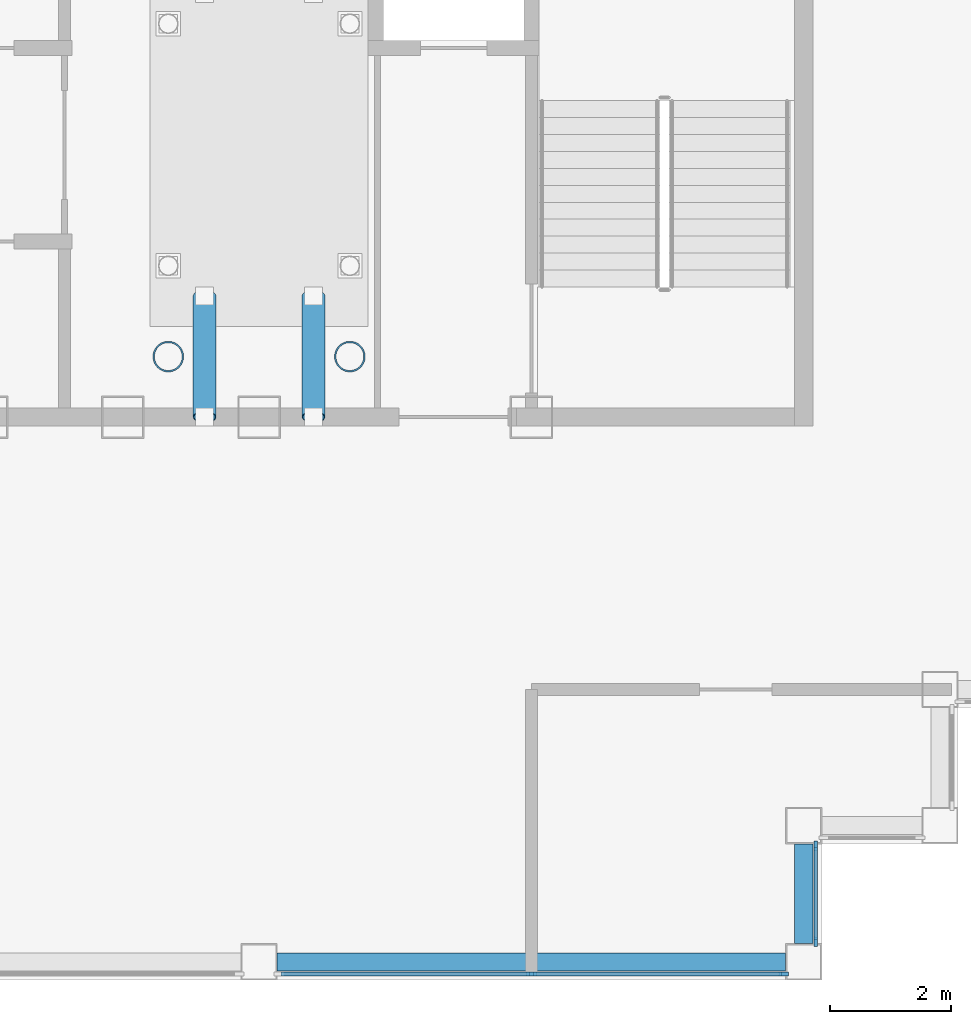
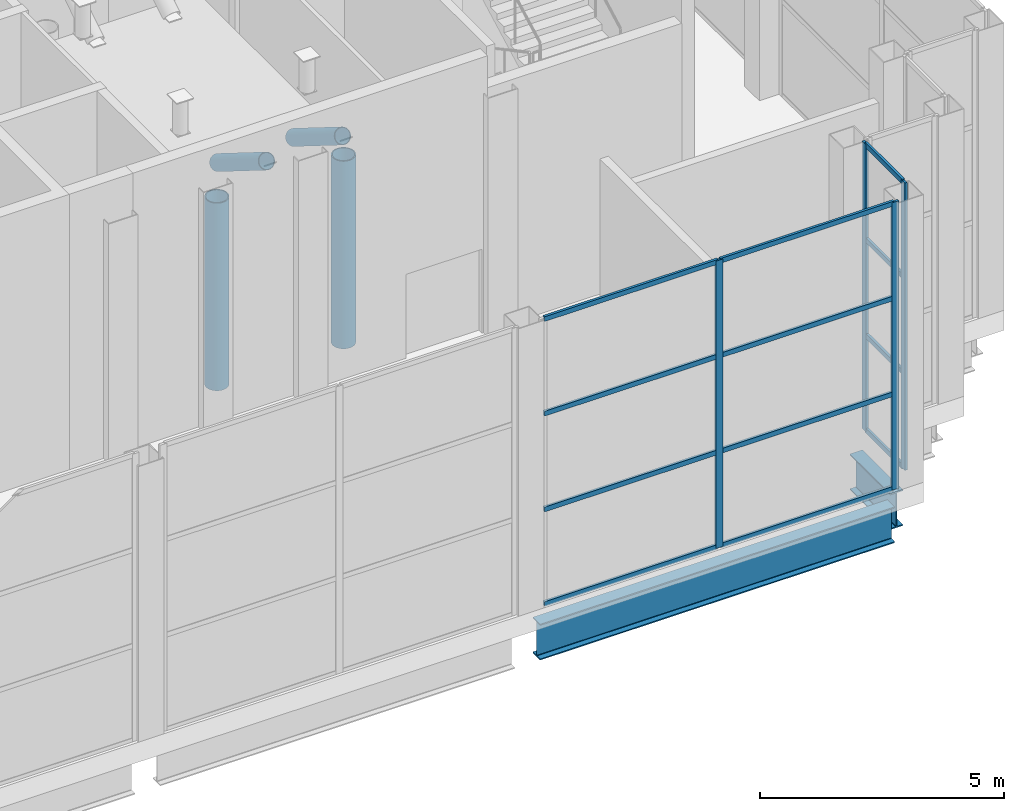
# One storey, part 3 of 15: 20 members, 2 beams, 2 elements without a shape of their own.
"""IFC4 building model written with IfcOpenShell, lengths in metres."""

import ifcopenshell
import ifcopenshell.guid

model = None  # the IFC model being written
_history = None  # IfcOwnerHistory: only IFC2X3 demands one
_inside = {}  # id of a spatial element -> (the spatial element, [elements in it])
_under = {}  # id of a project, library or spatial element -> (it, [spatial elements below it])
_declared = {}  # id of a project -> (the project, [libraries it declares])
_typed = {}  # id of a type object -> (the type object, [elements of that type])
_made_of = {}  # id of a material, layer set ... -> (it, [elements and type objects made of it])


def new_model(schema):
    """Start an empty IFC model of exactly this schema.

    Asked for "IFC4X3", IfcOpenShell would pick the latest addendum, in which some entities
    have other attributes; the version numbers below select the first issue.
    IFC2X3 requires an IfcOwnerHistory on every rooted entity: one is made here for all.
    """
    global model, _history
    if schema == "IFC4X3":
        model = ifcopenshell.file(schema_version=(4, 3, 0, 0))
    else:
        model = ifcopenshell.file(schema=schema)
    _inside.clear()
    _under.clear()
    _declared.clear()
    _typed.clear()
    _made_of.clear()
    _history = None
    if model.schema == "IFC2X3":
        org = make("IfcOrganization", Name="unknown")
        user = make(
            "IfcPersonAndOrganization",
            ThePerson=make("IfcPerson", FamilyName="unknown"),
            TheOrganization=org,
        )
        app = make(
            "IfcApplication",
            ApplicationDeveloper=org,
            Version="unknown",
            ApplicationFullName="unknown",
            ApplicationIdentifier="unknown",
        )
        _history = make(
            "IfcOwnerHistory",
            OwningUser=user,
            OwningApplication=app,
            ChangeAction="ADDED",
            CreationDate=0,
        )
    return model


def make(cls, **values):
    """One entity of the class cls with the attributes given. An attribute that is None is left unset."""
    return model.create_entity(
        cls, **{name: value for name, value in values.items() if value is not None}
    )


def rooted(cls, **values):
    """An entity with a GlobalId (a new one), such as an element, a storey or a relation."""
    return make(cls, GlobalId=ifcopenshell.guid.new(), OwnerHistory=_history, **values)


def si_unit(unit_type, name, prefix=None):
    """IfcSIUnit, for example si_unit("LENGTHUNIT", "METRE", prefix="MILLI")."""
    return make("IfcSIUnit", UnitType=unit_type, Prefix=prefix, Name=name)


def assignment(units):
    """IfcUnitAssignment: the units of a project."""
    return None if units is None else make("IfcUnitAssignment", Units=units)


def point(xyz):
    """IfcCartesianPoint."""
    return None if xyz is None else make("IfcCartesianPoint", Coordinates=xyz)


def direction(xyz):
    """IfcDirection."""
    return None if xyz is None else make("IfcDirection", DirectionRatios=xyz)


def frame(location, z_axis=None, x_axis=None):
    """IfcAxis2Placement3D, a coordinate frame: its origin and axes. An axis left out is left unset."""
    return make(
        "IfcAxis2Placement3D",
        Location=point(location),
        Axis=direction(z_axis),
        RefDirection=direction(x_axis),
    )


def frame_2d(location, x_axis=None):
    """IfcAxis2Placement2D, a coordinate frame in the plane: its origin and x axis."""
    return make(
        "IfcAxis2Placement2D", Location=point(location), RefDirection=direction(x_axis)
    )


def origin():
    """The frame at (0, 0, 0) with its axes left unset."""
    return frame((0.0, 0.0, 0.0))


def origin_2d():
    """The frame at (0, 0) in the plane with its x axis left unset."""
    return frame_2d((0.0, 0.0))


def place(relative_to, where):
    """IfcLocalPlacement: puts the frame where relative to a parent placement (None: the world)."""
    return make(
        "IfcLocalPlacement", PlacementRelTo=relative_to, RelativePlacement=where
    )


def context(
    kind, dimensions, precision=None, world=None, true_north=None, identifier=None
):
    """IfcGeometricRepresentationContext, for example the 3D "Model" context."""
    return make(
        "IfcGeometricRepresentationContext",
        ContextIdentifier=identifier,
        ContextType=kind,
        CoordinateSpaceDimension=dimensions,
        Precision=precision,
        WorldCoordinateSystem=world,
        TrueNorth=true_north,
    )


def subcontext(parent, identifier, kind, view, scale=None):
    """IfcGeometricRepresentationSubContext, for example "Body" below "Model"."""
    return make(
        "IfcGeometricRepresentationSubContext",
        ContextIdentifier=identifier,
        ContextType=kind,
        ParentContext=parent,
        TargetScale=scale,
        TargetView=view,
    )


def project(units=None, contexts=None):
    """IfcProject with its units and contexts."""
    return rooted(
        "IfcProject",
        Name="project",
        RepresentationContexts=contexts,
        UnitsInContext=assignment(units),
    )


def spatial(cls, under=None, at=None, **own):
    """A site, building, storey or space (cls), placed at a placement, below another one or the project."""
    s = rooted(cls, ObjectPlacement=at, **own)
    if under is not None:
        _under.setdefault(under.id(), (under, []))[1].append(s)
    return s


def profile(cls, at=None, kind="AREA", **sizes):
    """A parametric profile (cls). Its sizes go by their IFC names, for example OverallWidth=200.0."""
    return make(cls, ProfileType=kind, Position=at, **sizes)


def rectangle(**sizes):
    """IfcRectangleProfileDef."""
    return profile("IfcRectangleProfileDef", **sizes)


def hollow_circle(**sizes):
    """IfcCircleHollowProfileDef."""
    return profile("IfcCircleHollowProfileDef", **sizes)


def i_section(**sizes):
    """IfcIShapeProfileDef."""
    return profile("IfcIShapeProfileDef", **sizes)


def extrude(swept, where, along, depth):
    """IfcExtrudedAreaSolid: the profile swept, set in the frame where, extruded along a direction by depth."""
    return make(
        "IfcExtrudedAreaSolid",
        SweptArea=swept,
        Position=where,
        ExtrudedDirection=direction(along),
        Depth=depth,
    )


def shape(context_of_items, identifier, shape_type, items):
    """IfcShapeRepresentation: the items that make up one representation, for example the "Body"."""
    return make(
        "IfcShapeRepresentation",
        ContextOfItems=context_of_items,
        RepresentationIdentifier=identifier,
        RepresentationType=shape_type,
        Items=items,
    )


def material(Name=None, Category=None):
    """IfcMaterial."""
    return make("IfcMaterial", Name=Name, Category=Category)


def layer(
    of_material, thickness, ventilated=None, Name=None, Category=None, Priority=None
):
    """IfcMaterialLayer: one layer of a wall or slab, of a material (None: an air gap)."""
    return make(
        "IfcMaterialLayer",
        Material=of_material,
        LayerThickness=thickness,
        IsVentilated=ventilated,
        Name=Name,
        Category=Category,
        Priority=Priority,
    )


def layer_set(layers, Name=None):
    """IfcMaterialLayerSet."""
    return make("IfcMaterialLayerSet", MaterialLayers=layers, LayerSetName=Name)


def material_profile(
    of_material, cross_section, Name=None, Category=None, Priority=None
):
    """IfcMaterialProfile: a cross section and its material."""
    return make(
        "IfcMaterialProfile",
        Name=Name,
        Material=of_material,
        Profile=cross_section,
        Priority=Priority,
        Category=Category,
    )


def profile_set(profiles, Name=None, composite=None):
    """IfcMaterialProfileSet."""
    return make(
        "IfcMaterialProfileSet",
        Name=Name,
        MaterialProfiles=profiles,
        CompositeProfile=composite,
    )


def made_of(thing, what):
    """Note that an element or type object is made of a material, layer set ...; save() writes the relation."""
    if what is not None:
        _made_of.setdefault(what.id(), (what, []))[1].append(thing)
    return thing


def type_object(cls, material=None, **own):
    """A type object (cls), such as IfcWallType, which elements share."""
    return made_of(rooted(cls, **own), material)


def element(
    cls,
    number,
    at=None,
    inside=None,
    cuts=None,
    type_object=None,
    material=None,
    context=None,
    identifier="Body",
    shape_type=None,
    held_by="IfcProductDefinitionShape",
    body=None,
    shapes=None,
    **own,
):
    """One element of the class cls, such as IfcWall. Its Tag is "e" and its number.

    at: its placement. inside: the storey or other place that contains it. cuts: it is an
    opening in that element (IfcRelVoidsElement). A single representation is given by context,
    identifier, shape_type and body (its items); several are given by shapes. held_by: the class
    of the entity that holds the representations. save() writes the other relations.
    """
    e = rooted(cls, Tag="e%d" % number, ObjectPlacement=at, **own)
    if body is not None:
        shapes = [shape(context, identifier, shape_type, body)]
    if shapes is not None:
        e.Representation = make(held_by, Representations=shapes)
    if inside is not None:
        _inside.setdefault(inside.id(), (inside, []))[1].append(e)
    if cuts is not None:
        rooted(
            "IfcRelVoidsElement", RelatingBuildingElement=cuts, RelatedOpeningElement=e
        )
    if type_object is not None:
        _typed.setdefault(type_object.id(), (type_object, []))[1].append(e)
    return made_of(e, material)


def aggregate(whole, parts):
    """IfcRelAggregates: a whole, such as a stair, and the parts it consists of."""
    return rooted("IfcRelAggregates", RelatingObject=whole, RelatedObjects=parts)


def save(model, path):
    """Write the relations noted so far, then the file.

    IfcRelAggregates (storeys below a building ...), IfcRelContainedInSpatialStructure (elements
    in a storey), IfcRelDefinesByType, IfcRelAssociatesMaterial and IfcRelDeclares: one each for
    every whole, place, type object, material and project.
    """
    for whole, parts in _under.values():
        aggregate(whole, parts)
    for where, things in _inside.values():
        rooted(
            "IfcRelContainedInSpatialStructure",
            RelatedElements=things,
            RelatingStructure=where,
        )
    for kind, things in _typed.values():
        rooted("IfcRelDefinesByType", RelatedObjects=things, RelatingType=kind)
    for what, things in _made_of.values():
        rooted("IfcRelAssociatesMaterial", RelatedObjects=things, RelatingMaterial=what)
    for by, libraries in _declared.values():
        rooted("IfcRelDeclares", RelatingContext=by, RelatedDefinitions=libraries)
    model.write(path)


model = new_model("IFC4")

# Units and contexts
model_context = context("Model", 3, precision=1e-05, world=origin(), true_north=direction((0.0, 1.0)))
body_context = subcontext(model_context, "Body", "Model", "MODEL_VIEW")
ifc_project = project(units=[si_unit("LENGTHUNIT", "METRE"), si_unit("AREAUNIT", "SQUARE_METRE"), si_unit("VOLUMEUNIT", "CUBIC_METRE"), si_unit("PLANEANGLEUNIT", "RADIAN"), si_unit("MASSUNIT", "GRAM", prefix="KILO")], contexts=[model_context])

# Site, building, storey
site_placement = place(None, origin())
site = spatial("IfcSite", under=ifc_project, at=site_placement, CompositionType="ELEMENT")
building_placement = place(site_placement, origin())
building = spatial("IfcBuilding", under=site, at=building_placement, Name="Caravel Reach Hotel and Residences", CompositionType="ELEMENT")
storey_placement = place(building_placement, frame((0.0, 0.0, 305.60009765625)))
storey = spatial("IfcBuildingStorey", under=building, at=storey_placement, Name="L78", CompositionType="ELEMENT", Elevation=305.60009765625)

# Members
ifc_material_1 = material(Name="Structural steel Q390B", Category="steel")
ifc_material_profile_1 = material_profile(ifc_material_1, hollow_circle(Radius=0.1884765625, WallThickness=0.013916015625, at=origin_2d()), Name="CHS 377x14")
ifc_profile_set_1 = profile_set([ifc_material_profile_1], Name="Structural steel Q390B")
member_type_1 = type_object("IfcMemberType", Name="Brace CHS 377x14", PredefinedType="BRACE", material=ifc_profile_set_1)
for number, where, z_axis, x_axis, name in (
    (1, (35.10009765625, 24.5, 4.724853515625), (0.0, -0.847998304005, 0.529998940003), (1.0, 0.0, 0.0), "Tuned mass damper TMD1 viscous damper"),
    (2, (36.89990234375, 24.5, 4.724853515625), (0.0, -0.847998304005, 0.529998940003), (1.0, 0.0, 0.0), "Tuned mass damper TMD1 viscous damper"),
):
    element("IfcMember", number, at=place(storey_placement, frame(where, z_axis=z_axis, x_axis=x_axis)), inside=storey, type_object=member_type_1, Name=name, PredefinedType="BRACE", context=body_context, shape_type="SweptSolid", body=[
        extrude(hollow_circle(Radius=0.1884765625, WallThickness=0.013916015625, at=origin_2d()), origin(), (0.0, 0.0, 1.0), 2.3583984375),
    ])

# Curtain wall, members
ifc_material_2 = material(Name="Dark low-e glazing in black aluminium frame", Category="aluminium")
ifc_layer = layer(ifc_material_2, 0.199951171875)
ifc_layer_set = layer_set([ifc_layer], Name="CW3 Damper floor glass wall")
curtain_wall_type = type_object("IfcCurtainWallType", Name="CW3 Damper floor glass wall", PredefinedType="NOTDEFINED", material=ifc_layer_set)
curtain_wall_1_placement = place(storey_placement, origin())
curtain_wall_1 = element("IfcCurtainWall", 3, at=curtain_wall_1_placement, inside=storey, type_object=curtain_wall_type, Name="Damper floor glass wall b0", PredefinedType="NOTDEFINED")
ifc_material_3 = material(Name="Anodised aluminium alloy 6063-T5, black", Category="aluminium")
ifc_material_profile_2 = material_profile(ifc_material_3, rectangle(XDim=0.06005859375, YDim=0.159912109375, at=origin_2d()), Name="CW mullion 60 x 160")
ifc_profile_set_2 = profile_set([ifc_material_profile_2], Name="Anodised aluminium alloy 6063-T5, black")
member_type_2 = type_object("IfcMemberType", Name="CW mullion 60 x 160", PredefinedType="MULLION", material=ifc_profile_set_2)
member_1_placement = place(storey_placement, frame((45.199951171875, 13.830078125, 0.0), z_axis=(0.0, 0.0, 1.0), x_axis=(-1.0, 0.0, 0.0)))
member_1 = element("IfcMember", 4, at=member_1_placement, type_object=member_type_2, Name="CW3 mullion 1", PredefinedType="MULLION", context=body_context, shape_type="SweptSolid", body=[
    extrude(rectangle(XDim=0.06005859375, YDim=0.159912109375, at=origin_2d()), origin(), (0.0, 0.0, 1.0), 7.199951171875),
])
member_2_placement = place(storey_placement, frame((45.199951171875, 15.419921875, 0.0), z_axis=(0.0, 0.0, 1.0), x_axis=(-1.0, 0.0, 0.0)))
member_2 = element("IfcMember", 5, at=member_2_placement, type_object=member_type_2, Name="CW3 mullion 2", PredefinedType="MULLION", context=body_context, shape_type="SweptSolid", body=[
    extrude(rectangle(XDim=0.06005859375, YDim=0.159912109375, at=origin_2d()), origin(), (0.0, 0.0, 1.0), 7.199951171875),
])

curtain_wall_2_placement = place(storey_placement, origin())
curtain_wall_2 = element("IfcCurtainWall", 6, at=curtain_wall_2_placement, inside=storey, type_object=curtain_wall_type, Name="Damper floor glass wall b2", PredefinedType="NOTDEFINED")
member_3_placement = place(storey_placement, frame((40.5, 13.300048828125, 0.0), z_axis=(0.0, 0.0, 1.0), x_axis=(0.0, 1.0, 0.0)))
member_3 = element("IfcMember", 7, at=member_3_placement, type_object=member_type_2, Name="CW3 mullion 2", PredefinedType="MULLION", context=body_context, shape_type="SweptSolid", body=[
    extrude(rectangle(XDim=0.06005859375, YDim=0.159912109375, at=origin_2d()), origin(), (0.0, 0.0, 1.0), 7.199951171875),
])
member_4_placement = place(storey_placement, frame((44.669921875, 13.300048828125, 0.0), z_axis=(0.0, 0.0, 1.0), x_axis=(0.0, 1.0, 0.0)))
member_4 = element("IfcMember", 8, at=member_4_placement, type_object=member_type_2, Name="CW3 mullion 3", PredefinedType="MULLION", context=body_context, shape_type="SweptSolid", body=[
    extrude(rectangle(XDim=0.06005859375, YDim=0.159912109375, at=origin_2d()), origin(), (0.0, 0.0, 1.0), 7.199951171875),
])

# Member
ifc_material_4 = material(Name="Anodised aluminium alloy 6063-T5, black", Category="aluminium")
ifc_material_profile_3 = material_profile(ifc_material_4, rectangle(XDim=0.06005859375, YDim=0.1201171875, at=origin_2d()), Name="CW transom 60 x 120")
ifc_profile_set_3 = profile_set([ifc_material_profile_3], Name="Anodised aluminium alloy 6063-T5, black")
member_type_3 = type_object("IfcMemberType", Name="CW transom 60 x 120", PredefinedType="USERDEFINED", material=ifc_profile_set_3)
member_5_placement = place(storey_placement, frame((45.199951171875, 13.860107421875, 0.02978515625), z_axis=(0.0, 1.0, 0.0), x_axis=(-1.0, 0.0, 0.0)))
member_5 = element("IfcMember", 9, at=member_5_placement, type_object=member_type_3, Name="CW3 transom 1.1", ObjectType="TRANSOM", PredefinedType="USERDEFINED", context=body_context, shape_type="SweptSolid", body=[
    extrude(rectangle(XDim=0.06005859375, YDim=0.1201171875, at=origin_2d()), origin(), (0.0, 0.0, 1.0), 1.52978515625),
])

member_6_placement = place(storey_placement, frame((45.199951171875, 13.860107421875, 2.39990234375), z_axis=(0.0, 1.0, 0.0), x_axis=(-1.0, 0.0, 0.0)))
member_6 = element("IfcMember", 10, at=member_6_placement, type_object=member_type_3, Name="CW3 transom 1.2", ObjectType="TRANSOM", PredefinedType="USERDEFINED", context=body_context, shape_type="SweptSolid", body=[
    extrude(rectangle(XDim=0.06005859375, YDim=0.1201171875, at=origin_2d()), origin(), (0.0, 0.0, 1.0), 1.52978515625),
])

member_7_placement = place(storey_placement, frame((45.199951171875, 13.860107421875, 4.7998046875), z_axis=(0.0, 1.0, 0.0), x_axis=(-1.0, 0.0, 0.0)))
member_7 = element("IfcMember", 11, at=member_7_placement, type_object=member_type_3, Name="CW3 transom 1.3", ObjectType="TRANSOM", PredefinedType="USERDEFINED", context=body_context, shape_type="SweptSolid", body=[
    extrude(rectangle(XDim=0.06005859375, YDim=0.1201171875, at=origin_2d()), origin(), (0.0, 0.0, 1.0), 1.52978515625),
])

member_8_placement = place(storey_placement, frame((45.199951171875, 13.860107421875, 7.169921875), z_axis=(0.0, 1.0, 0.0), x_axis=(-1.0, 0.0, 0.0)))
member_8 = element("IfcMember", 12, at=member_8_placement, type_object=member_type_3, Name="CW3 transom 1.4", ObjectType="TRANSOM", PredefinedType="USERDEFINED", context=body_context, shape_type="SweptSolid", body=[
    extrude(rectangle(XDim=0.06005859375, YDim=0.1201171875, at=origin_2d()), origin(), (0.0, 0.0, 1.0), 1.52978515625),
])

aggregate(curtain_wall_1, [member_1, member_2, member_5, member_6, member_7, member_8])

member_9_placement = place(storey_placement, frame((36.360107421875, 13.300048828125, 0.02978515625), z_axis=(1.0, 0.0, 0.0), x_axis=(0.0, 1.0, 0.0)))
member_9 = element("IfcMember", 13, at=member_9_placement, type_object=member_type_3, Name="CW3 transom 1.1", ObjectType="TRANSOM", PredefinedType="USERDEFINED", context=body_context, shape_type="SweptSolid", body=[
    extrude(rectangle(XDim=0.06005859375, YDim=0.1201171875, at=origin_2d()), origin(), (0.0, 0.0, 1.0), 4.10986328125),
])

member_10_placement = place(storey_placement, frame((36.360107421875, 13.300048828125, 2.39990234375), z_axis=(1.0, 0.0, 0.0), x_axis=(0.0, 1.0, 0.0)))
member_10 = element("IfcMember", 14, at=member_10_placement, type_object=member_type_3, Name="CW3 transom 1.2", ObjectType="TRANSOM", PredefinedType="USERDEFINED", context=body_context, shape_type="SweptSolid", body=[
    extrude(rectangle(XDim=0.06005859375, YDim=0.1201171875, at=origin_2d()), origin(), (0.0, 0.0, 1.0), 4.10986328125),
])

member_11_placement = place(storey_placement, frame((36.360107421875, 13.300048828125, 4.7998046875), z_axis=(1.0, 0.0, 0.0), x_axis=(0.0, 1.0, 0.0)))
member_11 = element("IfcMember", 15, at=member_11_placement, type_object=member_type_3, Name="CW3 transom 1.3", ObjectType="TRANSOM", PredefinedType="USERDEFINED", context=body_context, shape_type="SweptSolid", body=[
    extrude(rectangle(XDim=0.06005859375, YDim=0.1201171875, at=origin_2d()), origin(), (0.0, 0.0, 1.0), 4.10986328125),
])

member_12_placement = place(storey_placement, frame((36.360107421875, 13.300048828125, 7.169921875), z_axis=(1.0, 0.0, 0.0), x_axis=(0.0, 1.0, 0.0)))
member_12 = element("IfcMember", 16, at=member_12_placement, type_object=member_type_3, Name="CW3 transom 1.4", ObjectType="TRANSOM", PredefinedType="USERDEFINED", context=body_context, shape_type="SweptSolid", body=[
    extrude(rectangle(XDim=0.06005859375, YDim=0.1201171875, at=origin_2d()), origin(), (0.0, 0.0, 1.0), 4.10986328125),
])

member_13_placement = place(storey_placement, frame((40.530029296875, 13.300048828125, 0.02978515625), z_axis=(1.0, 0.0, 0.0), x_axis=(0.0, 1.0, 0.0)))
member_13 = element("IfcMember", 17, at=member_13_placement, type_object=member_type_3, Name="CW3 transom 2.1", ObjectType="TRANSOM", PredefinedType="USERDEFINED", context=body_context, shape_type="SweptSolid", body=[
    extrude(rectangle(XDim=0.06005859375, YDim=0.1201171875, at=origin_2d()), origin(), (0.0, 0.0, 1.0), 4.10986328125),
])

member_14_placement = place(storey_placement, frame((40.530029296875, 13.300048828125, 2.39990234375), z_axis=(1.0, 0.0, 0.0), x_axis=(0.0, 1.0, 0.0)))
member_14 = element("IfcMember", 18, at=member_14_placement, type_object=member_type_3, Name="CW3 transom 2.2", ObjectType="TRANSOM", PredefinedType="USERDEFINED", context=body_context, shape_type="SweptSolid", body=[
    extrude(rectangle(XDim=0.06005859375, YDim=0.1201171875, at=origin_2d()), origin(), (0.0, 0.0, 1.0), 4.10986328125),
])

member_15_placement = place(storey_placement, frame((40.530029296875, 13.300048828125, 4.7998046875), z_axis=(1.0, 0.0, 0.0), x_axis=(0.0, 1.0, 0.0)))
member_15 = element("IfcMember", 19, at=member_15_placement, type_object=member_type_3, Name="CW3 transom 2.3", ObjectType="TRANSOM", PredefinedType="USERDEFINED", context=body_context, shape_type="SweptSolid", body=[
    extrude(rectangle(XDim=0.06005859375, YDim=0.1201171875, at=origin_2d()), origin(), (0.0, 0.0, 1.0), 4.10986328125),
])

member_16_placement = place(storey_placement, frame((40.530029296875, 13.300048828125, 7.169921875), z_axis=(1.0, 0.0, 0.0), x_axis=(0.0, 1.0, 0.0)))
member_16 = element("IfcMember", 20, at=member_16_placement, type_object=member_type_3, Name="CW3 transom 2.4", ObjectType="TRANSOM", PredefinedType="USERDEFINED", context=body_context, shape_type="SweptSolid", body=[
    extrude(rectangle(XDim=0.06005859375, YDim=0.1201171875, at=origin_2d()), origin(), (0.0, 0.0, 1.0), 4.10986328125),
])

aggregate(curtain_wall_2, [member_3, member_4, member_9, member_10, member_11, member_12, member_13, member_14, member_15, member_16])

# Members
ifc_material_5 = material(Name="Structural steel Q390B", Category="steel")
ifc_material_profile_4 = material_profile(ifc_material_5, hollow_circle(Radius=0.25390625, WallThickness=0.02490234375, at=origin_2d()), Name="CHS 508x25")
ifc_profile_set_4 = profile_set([ifc_material_profile_4], Name="Structural steel Q390B")
member_type_4 = type_object("IfcMemberType", Name="Post CHS 508x25", PredefinedType="POST", material=ifc_profile_set_4)
for number, where, z_axis, x_axis, name in (
    (21, (34.5, 23.5, 0.0), (0.0, 0.0, 1.0), (1.0, 0.0, 0.0), "Tuned mass damper TMD1 rest post"),
    (22, (37.5, 23.5, 0.0), (0.0, 0.0, 1.0), (1.0, 0.0, 0.0), "Tuned mass damper TMD1 rest post"),
):
    element("IfcMember", number, at=place(storey_placement, frame(where, z_axis=z_axis, x_axis=x_axis)), inside=storey, type_object=member_type_4, Name=name, PredefinedType="POST", context=body_context, shape_type="SweptSolid", body=[
        extrude(hollow_circle(Radius=0.25390625, WallThickness=0.02490234375, at=origin_2d()), origin(), (0.0, 0.0, 1.0), 4.699951171875),
    ])

# Beams
ifc_material_6 = material(Name="Structural steel Q355B", Category="steel")
ifc_material_profile_5 = material_profile(ifc_material_6, i_section(OverallWidth=0.300048828125, OverallDepth=0.89990234375, WebThickness=0.01611328125, FlangeThickness=0.028076171875, FilletRadius=0.01806640625, at=origin_2d()), Name="HN 900x300x16x28")
ifc_profile_set_5 = profile_set([ifc_material_profile_5], Name="Structural steel Q355B")
beam_type = type_object("IfcBeamType", Name="Spandrel beam HN 900x300x16x28", PredefinedType="SPANDREL", material=ifc_profile_set_5)
beam_1_placement = place(storey_placement, frame((45.0, 13.800048828125, -0.9501953125), z_axis=(0.0, 1.0, 0.0), x_axis=(-1.0, 0.0, 0.0)))
element("IfcBeam", 23, at=beam_1_placement, inside=storey, type_object=beam_type, Name="SP3 HN 900x300x16x28", PredefinedType="SPANDREL", context=body_context, shape_type="SweptSolid", body=[
    extrude(i_section(OverallWidth=0.300048828125, OverallDepth=0.89990234375, WebThickness=0.01611328125, FlangeThickness=0.028076171875, FilletRadius=0.01806640625, at=origin_2d()), origin(), (0.0, 0.0, 1.0), 1.64990234375),
])
beam_2_placement = place(storey_placement, frame((36.300048828125, 13.5, -0.9501953125), z_axis=(1.0, 0.0, 0.0), x_axis=(0.0, 1.0, 0.0)))
element("IfcBeam", 24, at=beam_2_placement, inside=storey, type_object=beam_type, Name="SP3 HN 900x300x16x28", PredefinedType="SPANDREL", context=body_context, shape_type="SweptSolid", body=[
    extrude(i_section(OverallWidth=0.300048828125, OverallDepth=0.89990234375, WebThickness=0.01611328125, FlangeThickness=0.028076171875, FilletRadius=0.01806640625, at=origin_2d()), origin(), (0.0, 0.0, 1.0), 8.39990234375),
])

save(model, "model.ifc")
